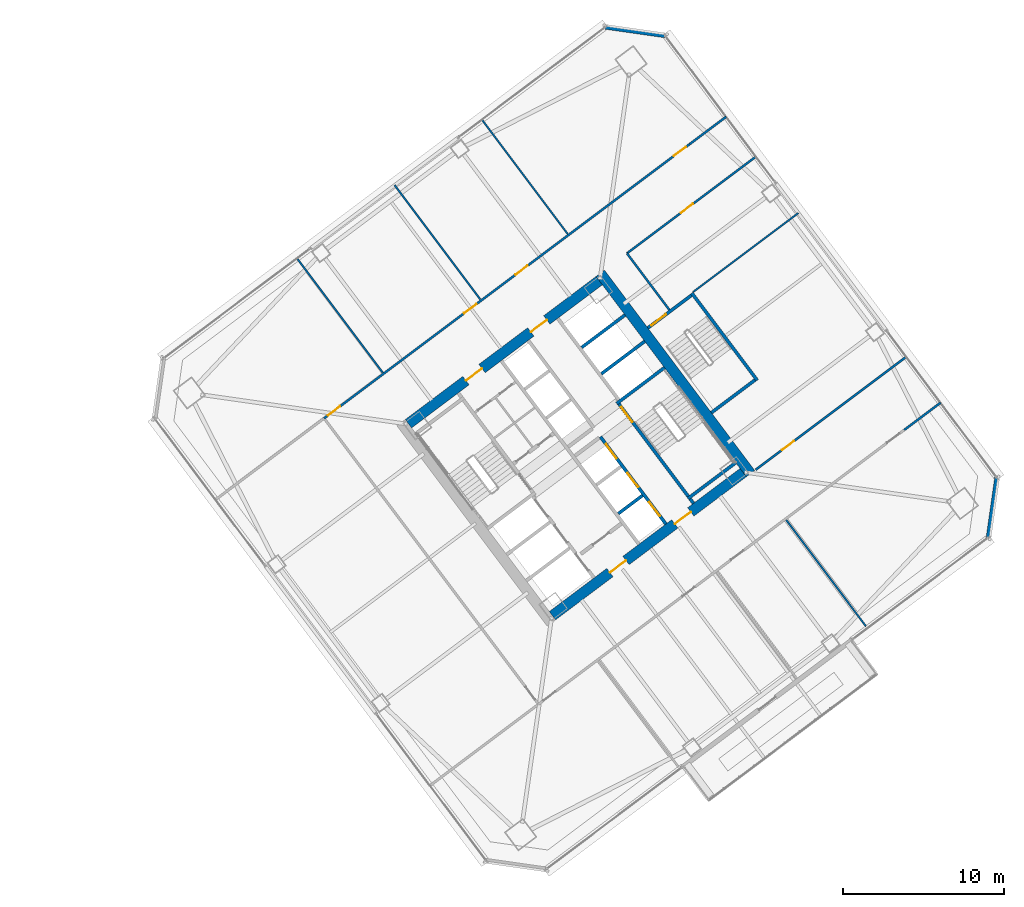
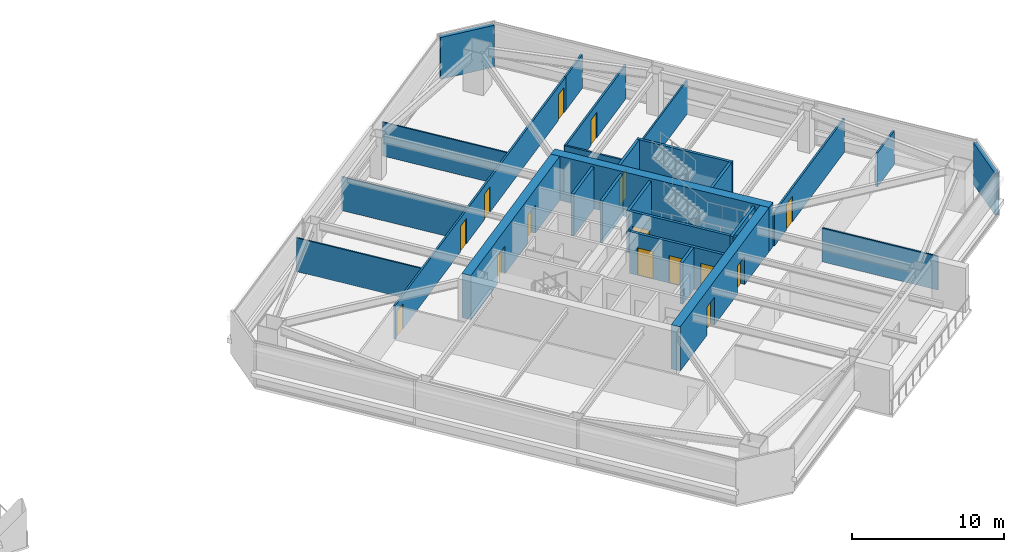
# One storey, part 37 of 44: 26 walls, 15 doors, 15 openings.
"""IFC4 building model written with IfcOpenShell, lengths in metres."""

import ifcopenshell
import ifcopenshell.guid

model = None  # the IFC model being written
_history = None  # IfcOwnerHistory: only IFC2X3 demands one
_inside = {}  # id of a spatial element -> (the spatial element, [elements in it])
_under = {}  # id of a project, library or spatial element -> (it, [spatial elements below it])
_declared = {}  # id of a project -> (the project, [libraries it declares])
_typed = {}  # id of a type object -> (the type object, [elements of that type])
_made_of = {}  # id of a material, layer set ... -> (it, [elements and type objects made of it])


def new_model(schema):
    """Start an empty IFC model of exactly this schema.

    Asked for "IFC4X3", IfcOpenShell would pick the latest addendum, in which some entities
    have other attributes; the version numbers below select the first issue.
    IFC2X3 requires an IfcOwnerHistory on every rooted entity: one is made here for all.
    """
    global model, _history
    if schema == "IFC4X3":
        model = ifcopenshell.file(schema_version=(4, 3, 0, 0))
    else:
        model = ifcopenshell.file(schema=schema)
    _inside.clear()
    _under.clear()
    _declared.clear()
    _typed.clear()
    _made_of.clear()
    _history = None
    if model.schema == "IFC2X3":
        org = make("IfcOrganization", Name="unknown")
        user = make(
            "IfcPersonAndOrganization",
            ThePerson=make("IfcPerson", FamilyName="unknown"),
            TheOrganization=org,
        )
        app = make(
            "IfcApplication",
            ApplicationDeveloper=org,
            Version="unknown",
            ApplicationFullName="unknown",
            ApplicationIdentifier="unknown",
        )
        _history = make(
            "IfcOwnerHistory",
            OwningUser=user,
            OwningApplication=app,
            ChangeAction="ADDED",
            CreationDate=0,
        )
    return model


def make(cls, **values):
    """One entity of the class cls with the attributes given. An attribute that is None is left unset."""
    return model.create_entity(
        cls, **{name: value for name, value in values.items() if value is not None}
    )


def rooted(cls, **values):
    """An entity with a GlobalId (a new one), such as an element, a storey or a relation."""
    return make(cls, GlobalId=ifcopenshell.guid.new(), OwnerHistory=_history, **values)


def si_unit(unit_type, name, prefix=None):
    """IfcSIUnit, for example si_unit("LENGTHUNIT", "METRE", prefix="MILLI")."""
    return make("IfcSIUnit", UnitType=unit_type, Prefix=prefix, Name=name)


def assignment(units):
    """IfcUnitAssignment: the units of a project."""
    return None if units is None else make("IfcUnitAssignment", Units=units)


def point(xyz):
    """IfcCartesianPoint."""
    return None if xyz is None else make("IfcCartesianPoint", Coordinates=xyz)


def direction(xyz):
    """IfcDirection."""
    return None if xyz is None else make("IfcDirection", DirectionRatios=xyz)


def frame(location, z_axis=None, x_axis=None):
    """IfcAxis2Placement3D, a coordinate frame: its origin and axes. An axis left out is left unset."""
    return make(
        "IfcAxis2Placement3D",
        Location=point(location),
        Axis=direction(z_axis),
        RefDirection=direction(x_axis),
    )


def frame_2d(location, x_axis=None):
    """IfcAxis2Placement2D, a coordinate frame in the plane: its origin and x axis."""
    return make(
        "IfcAxis2Placement2D", Location=point(location), RefDirection=direction(x_axis)
    )


def origin():
    """The frame at (0, 0, 0) with its axes left unset."""
    return frame((0.0, 0.0, 0.0))


def place(relative_to, where):
    """IfcLocalPlacement: puts the frame where relative to a parent placement (None: the world)."""
    return make(
        "IfcLocalPlacement", PlacementRelTo=relative_to, RelativePlacement=where
    )


def context(
    kind, dimensions, precision=None, world=None, true_north=None, identifier=None
):
    """IfcGeometricRepresentationContext, for example the 3D "Model" context."""
    return make(
        "IfcGeometricRepresentationContext",
        ContextIdentifier=identifier,
        ContextType=kind,
        CoordinateSpaceDimension=dimensions,
        Precision=precision,
        WorldCoordinateSystem=world,
        TrueNorth=true_north,
    )


def subcontext(parent, identifier, kind, view, scale=None):
    """IfcGeometricRepresentationSubContext, for example "Body" below "Model"."""
    return make(
        "IfcGeometricRepresentationSubContext",
        ContextIdentifier=identifier,
        ContextType=kind,
        ParentContext=parent,
        TargetScale=scale,
        TargetView=view,
    )


def project(units=None, contexts=None):
    """IfcProject with its units and contexts."""
    return rooted(
        "IfcProject",
        Name="project",
        RepresentationContexts=contexts,
        UnitsInContext=assignment(units),
    )


def spatial(cls, under=None, at=None, **own):
    """A site, building, storey or space (cls), placed at a placement, below another one or the project."""
    s = rooted(cls, ObjectPlacement=at, **own)
    if under is not None:
        _under.setdefault(under.id(), (under, []))[1].append(s)
    return s


def profile(cls, at=None, kind="AREA", **sizes):
    """A parametric profile (cls). Its sizes go by their IFC names, for example OverallWidth=200.0."""
    return make(cls, ProfileType=kind, Position=at, **sizes)


def rectangle(**sizes):
    """IfcRectangleProfileDef."""
    return profile("IfcRectangleProfileDef", **sizes)


def extrude(swept, where, along, depth):
    """IfcExtrudedAreaSolid: the profile swept, set in the frame where, extruded along a direction by depth."""
    return make(
        "IfcExtrudedAreaSolid",
        SweptArea=swept,
        Position=where,
        ExtrudedDirection=direction(along),
        Depth=depth,
    )


def shape(context_of_items, identifier, shape_type, items):
    """IfcShapeRepresentation: the items that make up one representation, for example the "Body"."""
    return make(
        "IfcShapeRepresentation",
        ContextOfItems=context_of_items,
        RepresentationIdentifier=identifier,
        RepresentationType=shape_type,
        Items=items,
    )


def material(Name=None, Category=None):
    """IfcMaterial."""
    return make("IfcMaterial", Name=Name, Category=Category)


def layer(
    of_material, thickness, ventilated=None, Name=None, Category=None, Priority=None
):
    """IfcMaterialLayer: one layer of a wall or slab, of a material (None: an air gap)."""
    return make(
        "IfcMaterialLayer",
        Material=of_material,
        LayerThickness=thickness,
        IsVentilated=ventilated,
        Name=Name,
        Category=Category,
        Priority=Priority,
    )


def layer_set(layers, Name=None):
    """IfcMaterialLayerSet."""
    return make("IfcMaterialLayerSet", MaterialLayers=layers, LayerSetName=Name)


def made_of(thing, what):
    """Note that an element or type object is made of a material, layer set ...; save() writes the relation."""
    if what is not None:
        _made_of.setdefault(what.id(), (what, []))[1].append(thing)
    return thing


def type_object(cls, material=None, **own):
    """A type object (cls), such as IfcWallType, which elements share."""
    return made_of(rooted(cls, **own), material)


def element(
    cls,
    number,
    at=None,
    inside=None,
    cuts=None,
    type_object=None,
    material=None,
    context=None,
    identifier="Body",
    shape_type=None,
    held_by="IfcProductDefinitionShape",
    body=None,
    shapes=None,
    **own,
):
    """One element of the class cls, such as IfcWall. Its Tag is "e" and its number.

    at: its placement. inside: the storey or other place that contains it. cuts: it is an
    opening in that element (IfcRelVoidsElement). A single representation is given by context,
    identifier, shape_type and body (its items); several are given by shapes. held_by: the class
    of the entity that holds the representations. save() writes the other relations.
    """
    e = rooted(cls, Tag="e%d" % number, ObjectPlacement=at, **own)
    if body is not None:
        shapes = [shape(context, identifier, shape_type, body)]
    if shapes is not None:
        e.Representation = make(held_by, Representations=shapes)
    if inside is not None:
        _inside.setdefault(inside.id(), (inside, []))[1].append(e)
    if cuts is not None:
        rooted(
            "IfcRelVoidsElement", RelatingBuildingElement=cuts, RelatedOpeningElement=e
        )
    if type_object is not None:
        _typed.setdefault(type_object.id(), (type_object, []))[1].append(e)
    return made_of(e, material)


def fill(opening, filler):
    """IfcRelFillsElement: the door or window that sits in an opening."""
    return rooted(
        "IfcRelFillsElement",
        RelatingOpeningElement=opening,
        RelatedBuildingElement=filler,
    )


def aggregate(whole, parts):
    """IfcRelAggregates: a whole, such as a stair, and the parts it consists of."""
    return rooted("IfcRelAggregates", RelatingObject=whole, RelatedObjects=parts)


def save(model, path):
    """Write the relations noted so far, then the file.

    IfcRelAggregates (storeys below a building ...), IfcRelContainedInSpatialStructure (elements
    in a storey), IfcRelDefinesByType, IfcRelAssociatesMaterial and IfcRelDeclares: one each for
    every whole, place, type object, material and project.
    """
    for whole, parts in _under.values():
        aggregate(whole, parts)
    for where, things in _inside.values():
        rooted(
            "IfcRelContainedInSpatialStructure",
            RelatedElements=things,
            RelatingStructure=where,
        )
    for kind, things in _typed.values():
        rooted("IfcRelDefinesByType", RelatedObjects=things, RelatingType=kind)
    for what, things in _made_of.values():
        rooted("IfcRelAssociatesMaterial", RelatedObjects=things, RelatingMaterial=what)
    for by, libraries in _declared.values():
        rooted("IfcRelDeclares", RelatingContext=by, RelatedDefinitions=libraries)
    model.write(path)


model = new_model("IFC4")

# Units and contexts
model_context = context("Model", 3, precision=1e-05, world=origin(), true_north=direction((0.0, 1.0)))
body_context = subcontext(model_context, "Body", "Model", "MODEL_VIEW")
ifc_project = project(units=[si_unit("LENGTHUNIT", "METRE"), si_unit("AREAUNIT", "SQUARE_METRE"), si_unit("VOLUMEUNIT", "CUBIC_METRE"), si_unit("PLANEANGLEUNIT", "RADIAN"), si_unit("MASSUNIT", "GRAM", prefix="KILO")], contexts=[model_context])

# Site, building, storey
site_placement = place(None, origin())
site = spatial("IfcSite", under=ifc_project, at=site_placement, CompositionType="ELEMENT")
building_placement = place(site_placement, origin())
building = spatial("IfcBuilding", under=site, at=building_placement, Name="Tashvorn Skyway Center", CompositionType="ELEMENT")
storey_placement = place(building_placement, frame((0.0, 0.0, 102.699951171875)))
storey = spatial("IfcBuildingStorey", under=building, at=storey_placement, Name="L27", CompositionType="ELEMENT", Elevation=102.699951171875)

# Wall
ifc_material_1 = material(Name="Concrete C60/75", Category="concrete")
ifc_layer_1 = layer(ifc_material_1, 0.64990234375)
ifc_layer_set_1 = layer_set([ifc_layer_1], Name="Concrete C60/75")
wall_type_1 = type_object("IfcWallType", Name="WALL-CORE-650", PredefinedType="SHEAR", material=ifc_layer_set_1)
wall_1_placement = place(storey_placement, frame((115.52392578125, 42.89306640625, 0.0), z_axis=(0.0, 0.0, 1.0), x_axis=(0.600005007985, -0.799996243986, 0.0)))
element("IfcWall", 1, at=wall_1_placement, inside=storey, type_object=wall_type_1, Name="Tower 2 L27 East Core Shear Wall", PredefinedType="SHEAR", context=body_context, shape_type="SweptSolid", body=[
    extrude(rectangle(XDim=15.60009765625, YDim=0.64990234375, at=frame_2d((7.800048828125, 0.0))), origin(), (0.0, 0.0, 1.0), 3.550048828125),
])

# Wall, openings, doors
wall_2_placement = place(storey_placement, frame((124.428955078125, 30.47802734375, 0.0), z_axis=(0.0, 0.0, 1.0), x_axis=(-0.799998028465, -0.600002628705, 0.0)))
wall_2 = element("IfcWall", 2, at=wall_2_placement, inside=storey, type_object=wall_type_1, Name="Tower 2 L27 South Core Shear Wall", PredefinedType="SHEAR", context=body_context, shape_type="SweptSolid", body=[
    extrude(rectangle(XDim=14.85986328125, YDim=0.64990234375, at=frame_2d((7.429931640625, 0.0))), origin(), (0.0, 0.0, 1.0), 3.550048828125),
])
opening_1_placement = place(wall_2_placement, frame((9.1298828125, 0.0, 0.0)))
opening_1 = element("IfcOpeningElement", 3, at=opening_1_placement, cuts=wall_2, Name="Opening D-FFL-1250", PredefinedType="OPENING", context=body_context, shape_type="SweptSolid", body=[
    extrude(rectangle(XDim=1.25, YDim=2.25, at=frame_2d((0.625, 1.125))), frame((0.0, 0.3349609375, 0.0), z_axis=(0.0, -1.0, 0.0), x_axis=(1.0, 0.0, 0.0)), (0.0, 0.0, 1.0), 0.669921875),
])
opening_2_placement = place(wall_2_placement, frame((4.080078125, 0.0, 0.0)))
opening_2 = element("IfcOpeningElement", 4, at=opening_2_placement, cuts=wall_2, Name="Opening D-FFL-1250", PredefinedType="OPENING", context=body_context, shape_type="SweptSolid", body=[
    extrude(rectangle(XDim=1.25, YDim=2.25, at=frame_2d((0.625, 1.125))), frame((0.0, 0.3349609375, 0.0), z_axis=(0.0, -1.0, 0.0), x_axis=(1.0, 0.0, 0.0)), (0.0, 0.0, 1.0), 0.669921875),
])
ifc_material_2 = material(Name="Hollow galvanized steel fire door assembly", Category="steel")
door_type_1 = type_object("IfcDoorType", Name="DOOR-FFL-1250", OperationType="NOTDEFINED", PredefinedType="DOOR", material=ifc_material_2)
door_1_placement = place(opening_1_placement, origin())
door_1 = element("IfcDoor", 5, at=door_1_placement, inside=storey, type_object=door_type_1, Name="Tower 2 L27 Core South Firefighting Exit Door", OperationType="SINGLE_SWING_LEFT", OverallHeight=2.25, OverallWidth=1.25, PredefinedType="DOOR", context=body_context, shape_type="SweptSolid", body=[
    extrude(rectangle(XDim=1.25, YDim=2.25, at=frame_2d((0.625, 1.125))), frame((0.0, 0.02490234375, 0.0), z_axis=(0.0, -1.0, 0.0), x_axis=(1.0, 0.0, 0.0)), (0.0, 0.0, 1.0), 0.050048828125),
])
fill(opening_1, door_1)
door_2_placement = place(opening_2_placement, origin())
door_2 = element("IfcDoor", 6, at=door_2_placement, inside=storey, type_object=door_type_1, Name="Tower 2 L27 Core South Lift Lobby Door", OperationType="SINGLE_SWING_RIGHT", OverallHeight=2.25, OverallWidth=1.25, PredefinedType="DOOR", context=body_context, shape_type="SweptSolid", body=[
    extrude(rectangle(XDim=1.25, YDim=2.25, at=frame_2d((0.625, 1.125))), frame((0.0, 0.02490234375, 0.0), z_axis=(0.0, -1.0, 0.0), x_axis=(1.0, 0.0, 0.0)), (0.0, 0.0, 1.0), 0.050048828125),
])
fill(opening_2, door_2)

wall_3_placement = place(storey_placement, frame((103.571044921875, 33.52197265625, 0.0), z_axis=(0.0, 0.0, 1.0), x_axis=(0.799998028465, 0.600002628705, 0.0)))
wall_3 = element("IfcWall", 7, at=wall_3_placement, inside=storey, type_object=wall_type_1, Name="Tower 2 L27 North Core Shear Wall", PredefinedType="SHEAR", context=body_context, shape_type="SweptSolid", body=[
    extrude(rectangle(XDim=14.85986328125, YDim=0.64990234375, at=frame_2d((7.429931640625, 0.0))), origin(), (0.0, 0.0, 1.0), 3.550048828125),
])
opening_3_placement = place(wall_3_placement, frame((4.47998046875, 0.0, 0.0)))
opening_3 = element("IfcOpeningElement", 8, at=opening_3_placement, cuts=wall_3, Name="Opening D-FFL-1250", PredefinedType="OPENING", context=body_context, shape_type="SweptSolid", body=[
    extrude(rectangle(XDim=1.25, YDim=2.25, at=frame_2d((0.625, 1.125))), frame((0.0, 0.3349609375, 0.0), z_axis=(0.0, -1.0, 0.0), x_axis=(1.0, 0.0, 0.0)), (0.0, 0.0, 1.0), 0.669921875),
])
opening_4_placement = place(wall_3_placement, frame((9.530029296875, 0.0, 0.0)))
opening_4 = element("IfcOpeningElement", 9, at=opening_4_placement, cuts=wall_3, Name="Opening D-FFL-1250", PredefinedType="OPENING", context=body_context, shape_type="SweptSolid", body=[
    extrude(rectangle(XDim=1.25, YDim=2.25, at=frame_2d((0.625, 1.125))), frame((0.0, 0.3349609375, 0.0), z_axis=(0.0, -1.0, 0.0), x_axis=(1.0, 0.0, 0.0)), (0.0, 0.0, 1.0), 0.669921875),
])
door_3_placement = place(opening_3_placement, origin())
door_3 = element("IfcDoor", 10, at=door_3_placement, inside=storey, type_object=door_type_1, Name="Tower 2 L27 Core North Service Lobby Door", OperationType="SINGLE_SWING_LEFT", OverallHeight=2.25, OverallWidth=1.25, PredefinedType="DOOR", context=body_context, shape_type="SweptSolid", body=[
    extrude(rectangle(XDim=1.25, YDim=2.25, at=frame_2d((0.625, 1.125))), frame((0.0, 0.02490234375, 0.0), z_axis=(0.0, -1.0, 0.0), x_axis=(1.0, 0.0, 0.0)), (0.0, 0.0, 1.0), 0.050048828125),
])
fill(opening_3, door_3)
door_4_placement = place(opening_4_placement, origin())
door_4 = element("IfcDoor", 11, at=door_4_placement, inside=storey, type_object=door_type_1, Name="Tower 2 L27 Core North Lift Lobby Door", OperationType="SINGLE_SWING_RIGHT", OverallHeight=2.25, OverallWidth=1.25, PredefinedType="DOOR", context=body_context, shape_type="SweptSolid", body=[
    extrude(rectangle(XDim=1.25, YDim=2.25, at=frame_2d((0.625, 1.125))), frame((0.0, 0.02490234375, 0.0), z_axis=(0.0, -1.0, 0.0), x_axis=(1.0, 0.0, 0.0)), (0.0, 0.0, 1.0), 0.050048828125),
])
fill(opening_4, door_4)

# Walls
ifc_material_3 = material(Name="Precast concrete C40/50", Category="concrete")
ifc_layer_2 = layer(ifc_material_3, 0.280029296875)
ifc_layer_set_2 = layer_set([ifc_layer_2], Name="Precast concrete C40/50")
wall_type_2 = type_object("IfcWallType", Name="WALL-EXT-280", PredefinedType="SOLIDWALL", material=ifc_layer_set_2)
for number, where, z_axis, x_axis, name in (
    (12, (115.820068359375, 58.239990234375, 0.0), (0.0, 0.0, 1.0), (0.989948214866, -0.141430307517, 0.0), "Tower 2 L27 NE Precast Chamfer Wall"),
    (13, (140.239990234375, 30.179931640625, 0.0), (0.0, 0.0, 1.0), (-0.141430307517, -0.989948214866, 0.0), "Tower 2 L27 SE Precast Chamfer Wall"),
):
    element("IfcWall", number, at=place(storey_placement, frame(where, z_axis=z_axis, x_axis=x_axis)), inside=storey, type_object=wall_type_2, Name=name, PredefinedType="SOLIDWALL", context=body_context, shape_type="SweptSolid", body=[
        extrude(rectangle(XDim=3.818359375, YDim=0.280029296875, at=frame_2d((1.9091796875, 0.0))), origin(), (0.0, 0.0, 1.0), 3.35009765625),
    ])
ifc_material_4 = material(Name="Gypsum board on cold-formed steel stud framing", Category="steel")
ifc_layer_3 = layer(ifc_material_4, 0.110107421875)
ifc_layer_set_3 = layer_set([ifc_layer_3], Name="Gypsum board on cold-formed steel stud framing")
wall_type_3 = type_object("IfcWallType", Name="WALL-PART-110", PredefinedType="PARTITIONING", material=ifc_layer_set_3)
wall_4_placement = place(storey_placement, frame((101.971923828125, 36.7041015625, 0.0), z_axis=(0.0, 0.0, 1.0), x_axis=(-0.59999561085, 0.800003291844, 0.0)))
element("IfcWall", 14, at=wall_4_placement, inside=storey, type_object=wall_type_3, Name="Tower 2 L27 North Suite Partition 1", PredefinedType="PARTITIONING", context=body_context, shape_type="SweptSolid", body=[
    extrude(rectangle(XDim=8.89990234375, YDim=0.110107421875, at=frame_2d((4.449951171875, 0.0))), origin(), (0.0, 0.0, 1.0), 2.703125),
])
wall_5_placement = place(storey_placement, frame((108.052001953125, 41.263916015625, 0.0), z_axis=(0.0, 0.0, 1.0), x_axis=(-0.6, 0.8, 0.0)))
element("IfcWall", 15, at=wall_5_placement, inside=storey, type_object=wall_type_3, Name="Tower 2 L27 North Suite Partition 2", PredefinedType="PARTITIONING", context=body_context, shape_type="SweptSolid", body=[
    extrude(rectangle(XDim=8.900146484375, YDim=0.110107421875, at=frame_2d((4.4501953125, 0.0))), origin(), (0.0, 0.0, 1.0), 2.703125),
])
wall_6_placement = place(storey_placement, frame((113.491943359375, 45.343994140625, 0.0), z_axis=(0.0, 0.0, 1.0), x_axis=(-0.599982443676, 0.800013166942, 0.0)))
element("IfcWall", 16, at=wall_6_placement, inside=storey, type_object=wall_type_3, Name="Tower 2 L27 North Suite Partition 3", PredefinedType="PARTITIONING", context=body_context, shape_type="SweptSolid", body=[
    extrude(rectangle(XDim=8.89990234375, YDim=0.110107421875, at=frame_2d((4.449951171875, 0.0))), origin(), (0.0, 0.0, 1.0), 2.703125),
])
wall_7_placement = place(storey_placement, frame((132.077880859375, 20.89599609375, 0.0), z_axis=(0.0, 0.0, 1.0), x_axis=(-0.599981128793, 0.800014153057, 0.0)))
element("IfcWall", 17, at=wall_7_placement, inside=storey, type_object=wall_type_3, Name="Tower 2 L27 South Suite Partition 3", PredefinedType="PARTITIONING", context=body_context, shape_type="SweptSolid", body=[
    extrude(rectangle(XDim=8.27978515625, YDim=0.110107421875, at=frame_2d((4.139892578125, 0.0))), origin(), (0.0, 0.0, 1.0), 2.703125),
])
wall_8_placement = place(storey_placement, frame((127.864013671875, 46.64794921875, 0.0), z_axis=(0.0, 0.0, 1.0), x_axis=(-0.800007145523, -0.599990472518, 0.0)))
element("IfcWall", 18, at=wall_8_placement, inside=storey, type_object=wall_type_3, Name="Tower 2 L27 East Suite Partition 1", PredefinedType="PARTITIONING", context=body_context, shape_type="SweptSolid", body=[
    extrude(rectangle(XDim=8.199951171875, YDim=0.110107421875, at=frame_2d((4.10009765625, 0.0))), origin(), (0.0, 0.0, 1.0), 2.703125),
])
ifc_layer_4 = layer(ifc_material_4, 0.135009765625)
ifc_layer_set_4 = layer_set([ifc_layer_4], Name="Gypsum board on cold-formed steel stud framing")
wall_type_4 = type_object("IfcWallType", Name="WALL-PART-135", PredefinedType="PARTITIONING", material=ifc_layer_set_4)
wall_9_placement = place(storey_placement, frame((119.823974609375, 40.617919921875, 0.0), z_axis=(0.0, 0.0, 1.0), x_axis=(-0.599982243973, 0.800013316712, 0.0)))
element("IfcWall", 19, at=wall_9_placement, inside=storey, type_object=wall_type_4, Name="Tower 2 L27 Stair 3 Access Corridor Wall", PredefinedType="PARTITIONING", context=body_context, shape_type="SweptSolid", body=[
    extrude(rectangle(XDim=4.39990234375, YDim=0.135009765625, at=frame_2d((2.199951171875, 0.0))), origin(), (0.0, 0.0, 1.0), 2.703125),
])

# Wall, openings, doors
wall_10_placement = place(storey_placement, frame((98.31591796875, 33.862060546875, 0.0), z_axis=(0.0, 0.0, 1.0), x_axis=(0.8000041147, 0.599994513695, 0.0)))
wall_10 = element("IfcWall", 20, at=wall_10_placement, inside=storey, type_object=wall_type_4, Name="Tower 2 L27 North Suite Wall", PredefinedType="PARTITIONING", context=body_context, shape_type="SweptSolid", body=[
    extrude(rectangle(XDim=28.47998046875, YDim=0.135009765625, at=frame_2d((14.239990234375, 0.0))), origin(), (0.0, 0.0, 1.0), 2.703125),
])
opening_5_placement = place(wall_10_placement, frame((0.300048828125, 0.0, 0.0)))
opening_5 = element("IfcOpeningElement", 21, at=opening_5_placement, cuts=wall_10, Name="Opening D-INT-950", PredefinedType="OPENING", context=body_context, shape_type="SweptSolid", body=[
    extrude(rectangle(XDim=0.949951171875, YDim=2.050048828125, at=frame_2d((0.47509765625, 1.02490234375))), frame((0.0, 0.077392578125, 0.0), z_axis=(0.0, -1.0, 0.0), x_axis=(1.0, 0.0, 0.0)), (0.0, 0.0, 1.0), 0.155029296875),
])
opening_6_placement = place(wall_10_placement, frame((10.89990234375, 0.0, 0.0)))
opening_6 = element("IfcOpeningElement", 22, at=opening_6_placement, cuts=wall_10, Name="Opening D-INT-950", PredefinedType="OPENING", context=body_context, shape_type="SweptSolid", body=[
    extrude(rectangle(XDim=0.949951171875, YDim=2.050048828125, at=frame_2d((0.47509765625, 1.02490234375))), frame((0.0, 0.077392578125, 0.0), z_axis=(0.0, -1.0, 0.0), x_axis=(1.0, 0.0, 0.0)), (0.0, 0.0, 1.0), 0.155029296875),
])
opening_7_placement = place(wall_10_placement, frame((14.900390625, 0.0, 0.0)))
opening_7 = element("IfcOpeningElement", 23, at=opening_7_placement, cuts=wall_10, Name="Opening D-INT-950", PredefinedType="OPENING", context=body_context, shape_type="SweptSolid", body=[
    extrude(rectangle(XDim=0.949951171875, YDim=2.050048828125, at=frame_2d((0.47509765625, 1.02490234375))), frame((0.0, 0.077392578125, 0.0), z_axis=(0.0, -1.0, 0.0), x_axis=(1.0, 0.0, 0.0)), (0.0, 0.0, 1.0), 0.155029296875),
])
opening_8_placement = place(wall_10_placement, frame((27.22998046875, 0.0, 0.0)))
opening_8 = element("IfcOpeningElement", 24, at=opening_8_placement, cuts=wall_10, Name="Opening D-INT-950", PredefinedType="OPENING", context=body_context, shape_type="SweptSolid", body=[
    extrude(rectangle(XDim=0.949951171875, YDim=2.050048828125, at=frame_2d((0.47509765625, 1.02490234375))), frame((0.0, 0.077392578125, 0.0), z_axis=(0.0, -1.0, 0.0), x_axis=(1.0, 0.0, 0.0)), (0.0, 0.0, 1.0), 0.155029296875),
])
ifc_material_5 = material(Name="Solid-core architectural oak veneer door")
door_type_2 = type_object("IfcDoorType", Name="DOOR-INT-950", OperationType="NOTDEFINED", PredefinedType="DOOR", material=ifc_material_5)
door_5_placement = place(opening_5_placement, origin())
door_5 = element("IfcDoor", 25, at=door_5_placement, inside=storey, type_object=door_type_2, Name="Tower 2 L27 Gallery Showroom Door", OperationType="SINGLE_SWING_LEFT", OverallHeight=2.050048828125, OverallWidth=0.949951171875, PredefinedType="DOOR", context=body_context, shape_type="SweptSolid", body=[
    extrude(rectangle(XDim=0.949951171875, YDim=2.050048828125, at=frame_2d((0.47509765625, 1.02490234375))), frame((0.0, 0.02490234375, 0.0), z_axis=(0.0, -1.0, 0.0), x_axis=(1.0, 0.0, 0.0)), (0.0, 0.0, 1.0), 0.050048828125),
])
fill(opening_5, door_5)
door_6_placement = place(opening_6_placement, origin())
door_6 = element("IfcDoor", 26, at=door_6_placement, inside=storey, type_object=door_type_2, Name="Tower 2 L27 Gallery Showroom Door", OperationType="SINGLE_SWING_RIGHT", OverallHeight=2.050048828125, OverallWidth=0.949951171875, PredefinedType="DOOR", context=body_context, shape_type="SweptSolid", body=[
    extrude(rectangle(XDim=0.949951171875, YDim=2.050048828125, at=frame_2d((0.47509765625, 1.02490234375))), frame((0.0, 0.02490234375, 0.0), z_axis=(0.0, -1.0, 0.0), x_axis=(1.0, 0.0, 0.0)), (0.0, 0.0, 1.0), 0.050048828125),
])
fill(opening_6, door_6)
door_7_placement = place(opening_7_placement, origin())
door_7 = element("IfcDoor", 27, at=door_7_placement, inside=storey, type_object=door_type_2, Name="Tower 2 L27 Reading Lounge Door", OperationType="SINGLE_SWING_LEFT", OverallHeight=2.050048828125, OverallWidth=0.949951171875, PredefinedType="DOOR", context=body_context, shape_type="SweptSolid", body=[
    extrude(rectangle(XDim=0.949951171875, YDim=2.050048828125, at=frame_2d((0.47509765625, 1.02490234375))), frame((0.0, 0.02490234375, 0.0), z_axis=(0.0, -1.0, 0.0), x_axis=(1.0, 0.0, 0.0)), (0.0, 0.0, 1.0), 0.050048828125),
])
fill(opening_7, door_7)
door_8_placement = place(opening_8_placement, origin())
door_8 = element("IfcDoor", 28, at=door_8_placement, inside=storey, type_object=door_type_2, Name="Tower 2 L27 Conference Room Door", OperationType="SINGLE_SWING_RIGHT", OverallHeight=2.050048828125, OverallWidth=0.949951171875, PredefinedType="DOOR", context=body_context, shape_type="SweptSolid", body=[
    extrude(rectangle(XDim=0.949951171875, YDim=2.050048828125, at=frame_2d((0.47509765625, 1.02490234375))), frame((0.0, 0.02490234375, 0.0), z_axis=(0.0, -1.0, 0.0), x_axis=(1.0, 0.0, 0.0)), (0.0, 0.0, 1.0), 0.050048828125),
])
fill(opening_8, door_8)

# Walls
wall_11_placement = place(storey_placement, frame((121.10009765625, 50.949951171875, 0.0), z_axis=(0.0, 0.0, 1.0), x_axis=(0.799989647378, 0.600013803248, 0.0)))
element("IfcWall", 29, at=wall_11_placement, inside=storey, type_object=wall_type_4, Name="Tower 2 L27 North-East Suite South Wall", PredefinedType="PARTITIONING", context=body_context, shape_type="SweptSolid", body=[
    extrude(rectangle(XDim=2.829833984375, YDim=0.135009765625, at=frame_2d((1.4150390625, 0.0))), origin(), (0.0, 0.0, 1.0), 2.703125),
])
wall_12_placement = place(storey_placement, frame((134.4619140625, 33.134033203125, 0.0), z_axis=(0.0, 0.0, 1.0), x_axis=(0.8000207031, 0.599972394874, 0.0)))
element("IfcWall", 30, at=wall_12_placement, inside=storey, type_object=wall_type_4, Name="Tower 2 L27 South-East Suite North Wall", PredefinedType="PARTITIONING", context=body_context, shape_type="SweptSolid", body=[
    extrude(rectangle(XDim=2.830078125, YDim=0.135009765625, at=frame_2d((1.4150390625, 0.0))), origin(), (0.0, 0.0, 1.0), 2.703125),
])

# Wall, opening, door
wall_13_placement = place(storey_placement, frame((125.22412109375, 50.16796875, 0.0), z_axis=(0.0, 0.0, 1.0), x_axis=(-0.8, -0.6, 0.0)))
wall_13 = element("IfcWall", 31, at=wall_13_placement, inside=storey, type_object=wall_type_4, Name="Tower 2 L27 East Suite North Wall", PredefinedType="PARTITIONING", context=body_context, shape_type="SweptSolid", body=[
    extrude(rectangle(XDim=10.050048828125, YDim=0.135009765625, at=frame_2d((5.02490234375, 0.0))), origin(), (0.0, 0.0, 1.0), 2.703125),
])
opening_9_placement = place(wall_13_placement, frame((4.89990234375, 0.0, 0.0)))
opening_9 = element("IfcOpeningElement", 32, at=opening_9_placement, cuts=wall_13, Name="Opening D-INT-950", PredefinedType="OPENING", context=body_context, shape_type="SweptSolid", body=[
    extrude(rectangle(XDim=0.949951171875, YDim=2.050048828125, at=frame_2d((0.47509765625, 1.02490234375))), frame((0.0, 0.077392578125, 0.0), z_axis=(0.0, -1.0, 0.0), x_axis=(1.0, 0.0, 0.0)), (0.0, 0.0, 1.0), 0.155029296875),
])
door_9_placement = place(opening_9_placement, origin())
door_9 = element("IfcDoor", 33, at=door_9_placement, inside=storey, type_object=door_type_2, Name="Tower 2 L27 Conference Room Door", OperationType="SINGLE_SWING_LEFT", OverallHeight=2.050048828125, OverallWidth=0.949951171875, PredefinedType="DOOR", context=body_context, shape_type="SweptSolid", body=[
    extrude(rectangle(XDim=0.949951171875, YDim=2.050048828125, at=frame_2d((0.47509765625, 1.02490234375))), frame((0.0, 0.02490234375, 0.0), z_axis=(0.0, -1.0, 0.0), x_axis=(1.0, 0.0, 0.0)), (0.0, 0.0, 1.0), 0.050048828125),
])
fill(opening_9, door_9)

wall_14_placement = place(storey_placement, frame((125.2080078125, 30.656005859375, 0.0), z_axis=(0.0, 0.0, 1.0), x_axis=(0.8, 0.6, 0.0)))
wall_14 = element("IfcWall", 34, at=wall_14_placement, inside=storey, type_object=wall_type_4, Name="Tower 2 L27 East Suite South Wall", PredefinedType="PARTITIONING", context=body_context, shape_type="SweptSolid", body=[
    extrude(rectangle(XDim=11.719970703125, YDim=0.135009765625, at=frame_2d((5.85986328125, 0.0))), origin(), (0.0, 0.0, 1.0), 2.703125),
])
opening_10_placement = place(wall_14_placement, frame((2.044921875, 0.0, 0.0)))
opening_10 = element("IfcOpeningElement", 35, at=opening_10_placement, cuts=wall_14, Name="Opening D-INT-950", PredefinedType="OPENING", context=body_context, shape_type="SweptSolid", body=[
    extrude(rectangle(XDim=0.949951171875, YDim=2.050048828125, at=frame_2d((0.47509765625, 1.02490234375))), frame((0.0, 0.077392578125, 0.0), z_axis=(0.0, -1.0, 0.0), x_axis=(1.0, 0.0, 0.0)), (0.0, 0.0, 1.0), 0.155029296875),
])
door_10_placement = place(opening_10_placement, origin())
door_10 = element("IfcDoor", 36, at=door_10_placement, inside=storey, type_object=door_type_2, Name="Tower 2 L27 Public Restroom Door", OperationType="SINGLE_SWING_RIGHT", OverallHeight=2.050048828125, OverallWidth=0.949951171875, PredefinedType="DOOR", context=body_context, shape_type="SweptSolid", body=[
    extrude(rectangle(XDim=0.949951171875, YDim=2.050048828125, at=frame_2d((0.47509765625, 1.02490234375))), frame((0.0, 0.02490234375, 0.0), z_axis=(0.0, -1.0, 0.0), x_axis=(1.0, 0.0, 0.0)), (0.0, 0.0, 1.0), 0.050048828125),
])
fill(opening_10, door_10)

# Walls
ifc_material_6 = material(Name="Concrete C40/50", Category="concrete")
ifc_layer_5 = layer(ifc_material_6, 0.199951171875)
ifc_layer_set_5 = layer_set([ifc_layer_5], Name="Concrete C40/50")
wall_type_5 = type_object("IfcWallType", Name="WALL-SHAFT-200", PredefinedType="SOLIDWALL", material=ifc_layer_set_5)
for number, where, z_axis, x_axis, name in (
    (37, (115.590087890625, 36.6298828125, 0.0), (0.0, 0.0, 1.0), (0.799973995579, 0.600034670996, 0.0), "Tower 2 L27 High-Rise Shaft Divider"),
    (38, (114.360107421875, 38.27001953125, 0.0), (0.0, 0.0, 1.0), (0.799973995579, 0.600034670996, 0.0), "Tower 2 L27 High-Rise Shaft Divider"),
):
    element("IfcWall", number, at=place(storey_placement, frame(where, z_axis=z_axis, x_axis=x_axis)), inside=storey, type_object=wall_type_5, Name=name, PredefinedType="SOLIDWALL", context=body_context, shape_type="SweptSolid", body=[
        extrude(rectangle(XDim=3.3798828125, YDim=0.199951171875, at=frame_2d((1.68994140625, 0.0))), origin(), (0.0, 0.0, 1.0), 3.35009765625),
    ])

# Wall, openings, doors
wall_15_placement = place(storey_placement, frame((119.610107421875, 27.27001953125, 0.0), z_axis=(0.0, 0.0, 1.0), x_axis=(-0.600011488909, 0.79999138319, 0.0)))
wall_15 = element("IfcWall", 39, at=wall_15_placement, inside=storey, type_object=wall_type_5, Name="Tower 2 L27 Low-Rise Core Wall", PredefinedType="SOLIDWALL", context=body_context, shape_type="SweptSolid", body=[
    extrude(rectangle(XDim=6.800048828125, YDim=0.199951171875, at=frame_2d((3.39990234375, 0.0))), origin(), (0.0, 0.0, 1.0), 3.35009765625),
])
opening_11_placement = place(wall_15_placement, frame((0.625, 0.0, 0.0)))
opening_11 = element("IfcOpeningElement", 40, at=opening_11_placement, cuts=wall_15, Name="Opening LD-LR-T2-1-L27", PredefinedType="OPENING", context=body_context, shape_type="SweptSolid", body=[
    extrude(rectangle(XDim=1.10009765625, YDim=2.199951171875, at=frame_2d((0.550048828125, 1.10009765625))), frame((0.0, 0.10986328125, 0.0), z_axis=(0.0, -1.0, 0.0), x_axis=(1.0, 0.0, 0.0)), (0.0, 0.0, 1.0), 0.219970703125),
])
opening_12_placement = place(wall_15_placement, frame((2.875, 0.0, 0.0)))
opening_12 = element("IfcOpeningElement", 41, at=opening_12_placement, cuts=wall_15, Name="Opening LD-LR-T2-2-L27", PredefinedType="OPENING", context=body_context, shape_type="SweptSolid", body=[
    extrude(rectangle(XDim=1.10009765625, YDim=2.199951171875, at=frame_2d((0.550048828125, 1.10009765625))), frame((0.0, 0.10986328125, 0.0), z_axis=(0.0, -1.0, 0.0), x_axis=(1.0, 0.0, 0.0)), (0.0, 0.0, 1.0), 0.219970703125),
])
opening_13_placement = place(wall_15_placement, frame((5.125, 0.0, 0.0)))
opening_13 = element("IfcOpeningElement", 42, at=opening_13_placement, cuts=wall_15, Name="Opening LD-LR-T2-3-L27", PredefinedType="OPENING", context=body_context, shape_type="SweptSolid", body=[
    extrude(rectangle(XDim=1.10009765625, YDim=2.199951171875, at=frame_2d((0.550048828125, 1.10009765625))), frame((0.0, 0.10986328125, 0.0), z_axis=(0.0, -1.0, 0.0), x_axis=(1.0, 0.0, 0.0)), (0.0, 0.0, 1.0), 0.219970703125),
])
ifc_material_7 = material(Name="Stainless steel landing door", Category="steel")
door_type_3 = type_object("IfcDoorType", Name="DOOR-LIFT-1100", OperationType="SLIDING_TO_LEFT", PredefinedType="DOOR", material=ifc_material_7)
door_11_placement = place(opening_11_placement, origin())
door_11 = element("IfcDoor", 43, at=door_11_placement, inside=storey, type_object=door_type_3, Name="Lift LR-T2-1 L27 Landing Door", OperationType="SLIDING_TO_LEFT", OverallHeight=2.199951171875, OverallWidth=1.10009765625, PredefinedType="DOOR", context=body_context, shape_type="SweptSolid", body=[
    extrude(rectangle(XDim=1.10009765625, YDim=2.199951171875, at=frame_2d((0.550048828125, 1.10009765625))), frame((0.0, 0.02490234375, 0.0), z_axis=(0.0, -1.0, 0.0), x_axis=(1.0, 0.0, 0.0)), (0.0, 0.0, 1.0), 0.050048828125),
])
fill(opening_11, door_11)
door_12_placement = place(opening_12_placement, origin())
door_12 = element("IfcDoor", 44, at=door_12_placement, inside=storey, type_object=door_type_3, Name="Lift LR-T2-2 L27 Landing Door", OperationType="SLIDING_TO_LEFT", OverallHeight=2.199951171875, OverallWidth=1.10009765625, PredefinedType="DOOR", context=body_context, shape_type="SweptSolid", body=[
    extrude(rectangle(XDim=1.10009765625, YDim=2.199951171875, at=frame_2d((0.550048828125, 1.10009765625))), frame((0.0, 0.02490234375, 0.0), z_axis=(0.0, -1.0, 0.0), x_axis=(1.0, 0.0, 0.0)), (0.0, 0.0, 1.0), 0.050048828125),
])
fill(opening_12, door_12)
door_13_placement = place(opening_13_placement, origin())
door_13 = element("IfcDoor", 45, at=door_13_placement, inside=storey, type_object=door_type_3, Name="Lift LR-T2-3 L27 Landing Door", OperationType="SLIDING_TO_LEFT", OverallHeight=2.199951171875, OverallWidth=1.10009765625, PredefinedType="DOOR", context=body_context, shape_type="SweptSolid", body=[
    extrude(rectangle(XDim=1.10009765625, YDim=2.199951171875, at=frame_2d((0.550048828125, 1.10009765625))), frame((0.0, 0.02490234375, 0.0), z_axis=(0.0, -1.0, 0.0), x_axis=(1.0, 0.0, 0.0)), (0.0, 0.0, 1.0), 0.050048828125),
])
fill(opening_13, door_13)

# Wall
wall_16_placement = place(storey_placement, frame((116.64599609375, 27.922119140625, 0.0), z_axis=(0.0, 0.0, 1.0), x_axis=(0.8, 0.6, 0.0)))
element("IfcWall", 46, at=wall_16_placement, inside=storey, type_object=wall_type_5, Name="Tower 2 L27 Low-Rise Shaft Divider", PredefinedType="SOLIDWALL", context=body_context, shape_type="SweptSolid", body=[
    extrude(rectangle(XDim=1.8798828125, YDim=0.199951171875, at=frame_2d((0.93994140625, 0.0))), origin(), (0.0, 0.0, 1.0), 3.35009765625),
])

# Wall, opening, door
ifc_layer_6 = layer(ifc_material_6, 0.199951171875)
ifc_layer_set_6 = layer_set([ifc_layer_6], Name="Concrete C40/50")
wall_type_6 = type_object("IfcWallType", Name="WALL-STSHF-200", PredefinedType="SHEAR", material=ifc_layer_set_6)
wall_17_placement = place(storey_placement, frame((116.56005859375, 34.919921875, 0.0), z_axis=(0.0, 0.0, 1.0), x_axis=(0.600009827119, -0.799992629566, 0.0)))
wall_17 = element("IfcWall", 47, at=wall_17_placement, inside=storey, type_object=wall_type_6, Name="Tower 2 L27 Stair 2 Enclosure Wall", PredefinedType="SHEAR", context=body_context, shape_type="SweptSolid", body=[
    extrude(rectangle(XDim=7.949951171875, YDim=0.199951171875, at=frame_2d((3.97509765625, 0.0))), origin(), (0.0, 0.0, 1.0), 3.35009765625),
])
opening_14_placement = place(wall_17_placement, frame((0.449951171875, 0.0, 0.0)))
opening_14 = element("IfcOpeningElement", 48, at=opening_14_placement, cuts=wall_17, Name="Opening D-ST-1150", PredefinedType="OPENING", context=body_context, shape_type="SweptSolid", body=[
    extrude(rectangle(XDim=1.14990234375, YDim=2.199951171875, at=frame_2d((0.574951171875, 1.10009765625))), frame((0.0, 0.10986328125, 0.0), z_axis=(0.0, -1.0, 0.0), x_axis=(1.0, 0.0, 0.0)), (0.0, 0.0, 1.0), 0.219970703125),
])
door_type_4 = type_object("IfcDoorType", Name="DOOR-STAIR-1150", OperationType="NOTDEFINED", PredefinedType="DOOR", material=ifc_material_2)
door_14_placement = place(opening_14_placement, origin())
door_14 = element("IfcDoor", 49, at=door_14_placement, inside=storey, type_object=door_type_4, Name="Tower 2 L27 Exit Stair 2 Door", OperationType="SINGLE_SWING_RIGHT", OverallHeight=2.199951171875, OverallWidth=1.14990234375, PredefinedType="DOOR", context=body_context, shape_type="SweptSolid", body=[
    extrude(rectangle(XDim=1.14990234375, YDim=2.199951171875, at=frame_2d((0.574951171875, 1.10009765625))), frame((0.0, 0.02490234375, 0.0), z_axis=(0.0, -1.0, 0.0), x_axis=(1.0, 0.0, 0.0)), (0.0, 0.0, 1.0), 0.050048828125),
])
fill(opening_14, door_14)

# Walls
for number, where, z_axis, x_axis, name in (
    (50, (116.5400390625, 34.780029296875, 0.0), (0.0, 0.0, 1.0), (0.799984290658, 0.600020945218, 0.0), "Tower 2 L27 Stair 2 North Wall"),
    (51, (120.97998046875, 28.860107421875, 0.0), (0.0, 0.0, 1.0), (0.800039270442, 0.59994763584, 0.0), "Tower 2 L27 Stair 2 South Wall"),
):
    element("IfcWall", number, at=place(storey_placement, frame(where, z_axis=z_axis, x_axis=x_axis)), inside=storey, type_object=wall_type_6, Name=name, PredefinedType="SHEAR", context=body_context, shape_type="SweptSolid", body=[
        extrude(rectangle(XDim=3.72998046875, YDim=0.199951171875, at=frame_2d((1.864990234375, 0.0))), origin(), (0.0, 0.0, 1.0), 3.35009765625),
    ])
wall_18_placement = place(storey_placement, frame((125.303955078125, 36.22802734375, 0.0), z_axis=(0.0, 0.0, 1.0), x_axis=(-0.59998851072, 0.800008616831, 0.0)))
element("IfcWall", 52, at=wall_18_placement, inside=storey, type_object=wall_type_6, Name="Tower 2 L27 Stair 3 Outer Wall", PredefinedType="SHEAR", context=body_context, shape_type="SweptSolid", body=[
    extrude(rectangle(XDim=6.7998046875, YDim=0.199951171875, at=frame_2d((3.39990234375, 0.0))), origin(), (0.0, 0.0, 1.0), 3.35009765625),
])

# Wall, opening, door
wall_19_placement = place(storey_placement, frame((121.2041015625, 41.528076171875, 0.0), z_axis=(0.0, 0.0, 1.0), x_axis=(-0.800017232136, -0.599977023131, 0.0)))
wall_19 = element("IfcWall", 53, at=wall_19_placement, inside=storey, type_object=wall_type_6, Name="Tower 2 L27 Stair 3 Enclosure Wall", PredefinedType="SHEAR", context=body_context, shape_type="SweptSolid", body=[
    extrude(rectangle(XDim=3.400146484375, YDim=0.199951171875, at=frame_2d((1.7001953125, 0.0))), origin(), (0.0, 0.0, 1.0), 3.35009765625),
])
opening_15_placement = place(wall_19_placement, frame((1.97509765625, 0.0, 0.0)))
opening_15 = element("IfcOpeningElement", 54, at=opening_15_placement, cuts=wall_19, Name="Opening D-ST-1150", PredefinedType="OPENING", context=body_context, shape_type="SweptSolid", body=[
    extrude(rectangle(XDim=1.14990234375, YDim=2.199951171875, at=frame_2d((0.574951171875, 1.10009765625))), frame((0.0, 0.10986328125, 0.0), z_axis=(0.0, -1.0, 0.0), x_axis=(1.0, 0.0, 0.0)), (0.0, 0.0, 1.0), 0.219970703125),
])
door_15_placement = place(opening_15_placement, origin())
door_15 = element("IfcDoor", 55, at=door_15_placement, inside=storey, type_object=door_type_4, Name="Tower 2 L27 Exit Stair 3 Door", OperationType="SINGLE_SWING_RIGHT", OverallHeight=2.199951171875, OverallWidth=1.14990234375, PredefinedType="DOOR", context=body_context, shape_type="SweptSolid", body=[
    extrude(rectangle(XDim=1.14990234375, YDim=2.199951171875, at=frame_2d((0.574951171875, 1.10009765625))), frame((0.0, 0.02490234375, 0.0), z_axis=(0.0, -1.0, 0.0), x_axis=(1.0, 0.0, 0.0)), (0.0, 0.0, 1.0), 0.050048828125),
])
fill(opening_15, door_15)

# Wall
wall_20_placement = place(storey_placement, frame((122.444091796875, 34.2080078125, 0.0), z_axis=(0.0, 0.0, 1.0), x_axis=(0.79999138319, 0.600011488909, 0.0)))
element("IfcWall", 56, at=wall_20_placement, inside=storey, type_object=wall_type_6, Name="Tower 2 L27 Stair 3 South Wall", PredefinedType="SHEAR", context=body_context, shape_type="SweptSolid", body=[
    extrude(rectangle(XDim=3.39990234375, YDim=0.199951171875, at=frame_2d((1.699951171875, 0.0))), origin(), (0.0, 0.0, 1.0), 3.35009765625),
])

save(model, "model.ifc")
